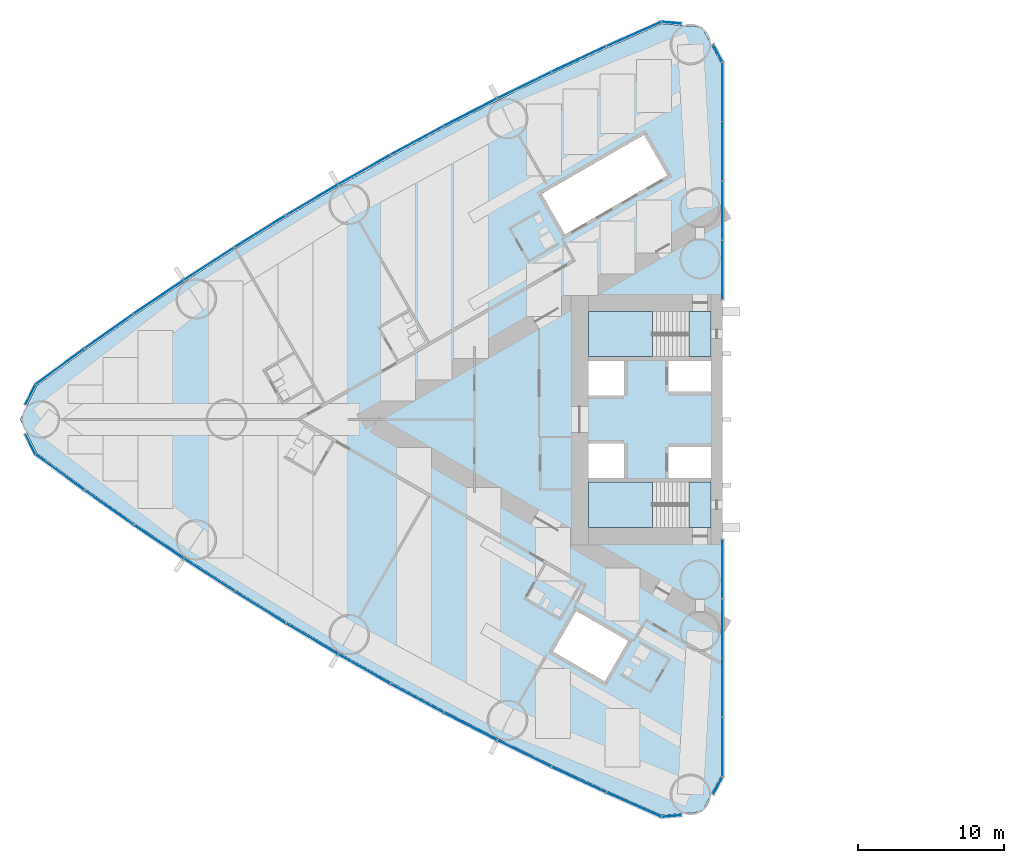
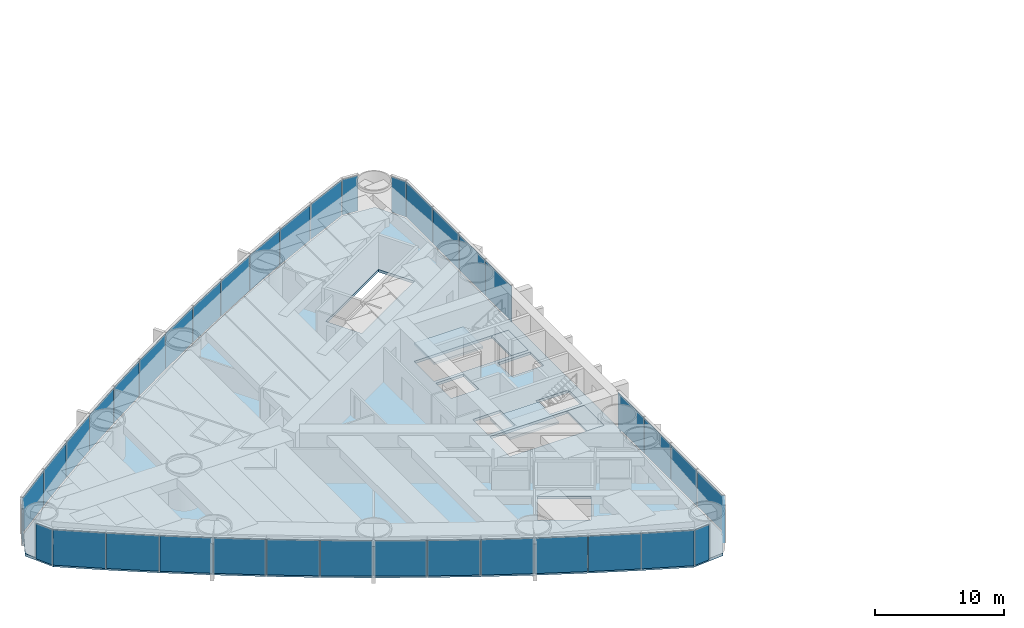
# One storey, part 9 of 19: 38 plates, 5 slabs, 6 elements without a shape of their own.
"""IFC4 building model written with IfcOpenShell, lengths in metres."""

from ifc_helpers import new_model, si_unit, direction, frame, origin, origin_2d, place, context, subcontext, project, spatial, polyline, rectangle, outline, extrude, material, layer, layer_set, type_object, element, aggregate, save


model = new_model("IFC4")

# Units and contexts
model_context = context("Model", 3, precision=1e-05, world=origin(), true_north=direction((0.0, 1.0)))
body_context = subcontext(model_context, "Body", "Model", "MODEL_VIEW")
ifc_project = project(units=[si_unit("LENGTHUNIT", "METRE"), si_unit("AREAUNIT", "SQUARE_METRE"), si_unit("VOLUMEUNIT", "CUBIC_METRE"), si_unit("PLANEANGLEUNIT", "RADIAN"), si_unit("MASSUNIT", "GRAM", prefix="KILO")], contexts=[model_context])

# Site, building, storey
site_placement = place(None, origin())
site = spatial("IfcSite", under=ifc_project, at=site_placement, CompositionType="ELEMENT")
building_placement = place(site_placement, origin())
building = spatial("IfcBuilding", under=site, at=building_placement, Name="Lancet Gate Hotel", CompositionType="ELEMENT")
storey_placement = place(building_placement, frame((0.0, 0.0, 63.5)))
storey = spatial("IfcBuildingStorey", under=building, at=storey_placement, Name="L16", CompositionType="ELEMENT", Elevation=63.5)

# Slab
ifc_material_1 = material(Name="Concrete C50/60", Category="concrete")
ifc_layer_1 = layer(ifc_material_1, 0.25)
ifc_layer_set_1 = layer_set([ifc_layer_1], Name="Floor slab 250")
slab_type_1 = type_object("IfcSlabType", Name="Floor slab 250", PredefinedType="FLOOR", material=ifc_layer_set_1)
slab_1_placement = place(storey_placement, frame((0.0, 0.0, -0.25)))
element("IfcSlab", 1, at=slab_1_placement, inside=storey, type_object=slab_type_1, Name="T1 L16 floor slab", PredefinedType="FLOOR", context=body_context, shape_type="SweptSolid", body=[
    extrude(outline(polyline([(-27.5, 8.60009765625), (-27.6201171875, 8.60009765625), (-27.6201171875, 24.4609375), (-28.926513671875, 26.8837890625), (-31.668212890625, 27.12353515625), (-35.424072265625, 25.458740234375), (-39.173583984375, 23.70849609375), (-42.887939453125, 21.884765625), (-46.56591796875, 19.98876953125), (-50.2060546875, 18.02099609375), (-53.806884765625, 15.982421875), (-57.366943359375, 13.87353515625), (-60.88525390625, 11.695068359375), (-64.360107421875, 9.448486328125), (-67.7900390625, 7.134033203125), (-71.17431640625, 4.752685546875), (-74.488525390625, 2.322021484375), (-75.65087890625, 0.0), (-74.488525390625, -2.322021484375), (-71.17431640625, -4.752685546875), (-67.7900390625, -7.134033203125), (-64.360107421875, -9.448486328125), (-60.88525390625, -11.695068359375), (-57.366943359375, -13.87353515625), (-53.806884765625, -15.982421875), (-50.2060546875, -18.02099609375), (-46.56591796875, -19.98876953125), (-42.887939453125, -21.884765625), (-39.173583984375, -23.70849609375), (-35.424072265625, -25.458740234375), (-31.668212890625, -27.12353515625), (-28.926513671875, -26.8837890625), (-27.6201171875, -24.4609375), (-27.6201171875, -8.60009765625), (-27.5, -8.60009765625), (-27.5, -8.199951171875), (-27.5, 8.199951171875), (-27.5, 8.60009765625)]), holes=[polyline([(-36.699951171875, 7.39990234375), (-36.699951171875, 4.300048828125), (-28.300048828125, 4.300048828125), (-28.300048828125, 7.39990234375), (-36.699951171875, 7.39990234375)]), polyline([(-28.300048828125, 4.0), (-31.199951171875, 4.0), (-31.199951171875, 1.89990234375), (-28.300048828125, 1.89990234375), (-28.300048828125, 4.0)]), polyline([(-34.25, 4.0), (-36.699951171875, 4.0), (-36.699951171875, 1.64990234375), (-34.25, 1.64990234375), (-34.25, 4.0)]), polyline([(-36.699951171875, -1.64990234375), (-36.699951171875, -4.0), (-34.25, -4.0), (-34.25, -1.64990234375), (-36.699951171875, -1.64990234375)]), polyline([(-28.300048828125, -1.89990234375), (-31.199951171875, -1.89990234375), (-31.199951171875, -4.0), (-28.300048828125, -4.0), (-28.300048828125, -1.89990234375)]), polyline([(-28.300048828125, -4.300048828125), (-36.699951171875, -4.300048828125), (-36.699951171875, -7.39990234375), (-28.300048828125, -7.39990234375), (-28.300048828125, -4.300048828125)]), polyline([(-31.2900390625, 16.73095703125), (-32.889892578125, 19.501953125), (-39.904052734375, 15.451904296875), (-38.303955078125, 12.680908203125), (-31.2900390625, 16.73095703125)]), polyline([(-33.97412109375, -15.180908203125), (-37.52490234375, -13.131103515625), (-39.125, -15.902099609375), (-35.573974609375, -17.951904296875), (-33.97412109375, -15.180908203125)])]), origin(), (0.0, 0.0, 1.0), 0.25),
])

# Stair, slabs
ifc_material_2 = material(Name="Exit stair 20 risers 1500")
stair_type = type_object("IfcStairType", Name="Exit stair 20 risers 1500", PredefinedType="HALF_TURN_STAIR", material=ifc_material_2)
stair_1_placement = place(storey_placement, origin())
stair_1 = element("IfcStair", 2, at=stair_1_placement, inside=storey, type_object=stair_type, Name="T1 stair 1 L16", PredefinedType="HALF_TURN_STAIR")
ifc_material_3 = material(Name="Concrete C40/50", Category="concrete")
ifc_layer_2 = layer(ifc_material_3, 0.199951171875)
ifc_layer_set_2 = layer_set([ifc_layer_2], Name="Stair landing 200")
slab_type_2 = type_object("IfcSlabType", Name="Stair landing 200", PredefinedType="LANDING", material=ifc_layer_set_2)
slab_2_placement = place(storey_placement, frame((0.0, 0.0, -0.199951171875)))
slab_2 = element("IfcSlab", 3, at=slab_2_placement, type_object=slab_type_2, Name="ST1 landing 1", PredefinedType="LANDING", context=body_context, shape_type="SweptSolid", body=[
    extrude(outline(polyline([(-28.300048828125, 7.39990234375), (-29.800048828125, 7.39990234375), (-29.800048828125, 4.300048828125), (-28.300048828125, 4.300048828125), (-28.300048828125, 7.39990234375)])), origin(), (0.0, 0.0, 1.0), 0.199951171875),
])
slab_3_placement = place(storey_placement, frame((0.0, 0.0, 1.550048828125)))
slab_3 = element("IfcSlab", 4, at=slab_3_placement, type_object=slab_type_2, Name="ST1 landing 2", PredefinedType="LANDING", context=body_context, shape_type="SweptSolid", body=[
    extrude(outline(polyline([(-32.320068359375, 7.39990234375), (-36.699951171875, 7.39990234375), (-36.699951171875, 4.300048828125), (-32.320068359375, 4.300048828125), (-32.320068359375, 7.39990234375)])), origin(), (0.0, 0.0, 1.0), 0.199951171875),
])
aggregate(stair_1, [slab_2, slab_3])

stair_2_placement = place(storey_placement, origin())
stair_2 = element("IfcStair", 5, at=stair_2_placement, inside=storey, type_object=stair_type, Name="T1 stair 2 L16", PredefinedType="HALF_TURN_STAIR")
slab_4_placement = place(storey_placement, frame((0.0, 0.0, -0.199951171875)))
slab_4 = element("IfcSlab", 6, at=slab_4_placement, type_object=slab_type_2, Name="ST2 landing 1", PredefinedType="LANDING", context=body_context, shape_type="SweptSolid", body=[
    extrude(outline(polyline([(-28.300048828125, -4.300048828125), (-29.800048828125, -4.300048828125), (-29.800048828125, -7.39990234375), (-28.300048828125, -7.39990234375), (-28.300048828125, -4.300048828125)])), origin(), (0.0, 0.0, 1.0), 0.199951171875),
])
slab_5_placement = place(storey_placement, frame((0.0, 0.0, 1.550048828125)))
slab_5 = element("IfcSlab", 7, at=slab_5_placement, type_object=slab_type_2, Name="ST2 landing 2", PredefinedType="LANDING", context=body_context, shape_type="SweptSolid", body=[
    extrude(outline(polyline([(-32.320068359375, -4.300048828125), (-36.699951171875, -4.300048828125), (-36.699951171875, -7.39990234375), (-32.320068359375, -7.39990234375), (-32.320068359375, -4.300048828125)])), origin(), (0.0, 0.0, 1.0), 0.199951171875),
])
aggregate(stair_2, [slab_4, slab_5])

# Curtain wall, plates
ifc_material_4 = material(Name="Aluminium curtain wall", Category="aluminium")
curtain_wall_type = type_object("IfcCurtainWallType", Name="Tower unitised curtain wall", PredefinedType="USERDEFINED", material=ifc_material_4)
curtain_wall_1_placement = place(storey_placement, origin())
curtain_wall_1 = element("IfcCurtainWall", 8, at=curtain_wall_1_placement, inside=storey, type_object=curtain_wall_type, Name="T1 L16 curtain wall 1", ObjectType="UNITISED CURTAIN WALL", PredefinedType="USERDEFINED")
ifc_material_5 = material(Name="Glass double glazed unit 8-16-6", Category="glass")
ifc_layer_3 = layer(ifc_material_5, 0.030029296875)
ifc_layer_set_3 = layer_set([ifc_layer_3], Name="Vision panel double glazed")
plate_type = type_object("IfcPlateType", Name="Vision panel double glazed", PredefinedType="CURTAIN_PANEL", material=ifc_layer_set_3)
plate_1_placement = place(storey_placement, frame((-27.5, 10.236328125, 0.0), z_axis=(0.0, 0.0, 1.0), x_axis=(0.0, 1.0, 0.0)))
plate_1 = element("IfcPlate", 9, at=plate_1_placement, type_object=plate_type, Name="T1 L16 curtain wall 1 panel 1", PredefinedType="CURTAIN_PANEL", context=body_context, shape_type="SweptSolid", body=[
    extrude(rectangle(XDim=4.0078125, YDim=0.030029296875, at=origin_2d()), origin(), (0.0, 0.0, 1.0), 3.35009765625),
])
plate_2_placement = place(storey_placement, frame((-27.5, 14.30908203125, 0.0), z_axis=(0.0, 0.0, 1.0), x_axis=(0.0, 1.0, 0.0)))
plate_2 = element("IfcPlate", 10, at=plate_2_placement, type_object=plate_type, Name="T1 L16 curtain wall 1 panel 2", PredefinedType="CURTAIN_PANEL", context=body_context, shape_type="SweptSolid", body=[
    extrude(rectangle(XDim=4.0078125, YDim=0.030029296875, at=origin_2d()), origin(), (0.0, 0.0, 1.0), 3.35009765625),
])
plate_3_placement = place(storey_placement, frame((-27.5, 18.382080078125, 0.0), z_axis=(0.0, 0.0, 1.0), x_axis=(0.0, 1.0, 0.0)))
plate_3 = element("IfcPlate", 11, at=plate_3_placement, type_object=plate_type, Name="T1 L16 curtain wall 1 panel 3", PredefinedType="CURTAIN_PANEL", context=body_context, shape_type="SweptSolid", body=[
    extrude(rectangle(XDim=4.0078125, YDim=0.030029296875, at=origin_2d()), origin(), (0.0, 0.0, 1.0), 3.35009765625),
])
plate_4_placement = place(storey_placement, frame((-27.5, 22.454833984375, 0.0), z_axis=(0.0, 0.0, 1.0), x_axis=(0.0, 1.0, 0.0)))
plate_4 = element("IfcPlate", 12, at=plate_4_placement, type_object=plate_type, Name="T1 L16 curtain wall 1 panel 4", PredefinedType="CURTAIN_PANEL", context=body_context, shape_type="SweptSolid", body=[
    extrude(rectangle(XDim=4.0078125, YDim=0.030029296875, at=origin_2d()), origin(), (0.0, 0.0, 1.0), 3.35009765625),
])
plate_5_placement = place(storey_placement, frame((-27.829345703125, 25.10205078125, 0.0), z_axis=(0.0, 0.0, 1.0), x_axis=(-0.474631040972, 0.880184852714, 0.0)))
plate_5 = element("IfcPlate", 13, at=plate_5_placement, type_object=plate_type, Name="T1 L16 curtain wall 1 panel 5", PredefinedType="CURTAIN_PANEL", context=body_context, shape_type="SweptSolid", body=[
    extrude(rectangle(XDim=1.322998046875, YDim=0.030029296875, at=origin_2d()), origin(), (0.0, 0.0, 1.0), 3.35009765625),
])
aggregate(curtain_wall_1, [plate_1, plate_2, plate_3, plate_4, plate_5])

curtain_wall_2_placement = place(storey_placement, origin())
curtain_wall_2 = element("IfcCurtainWall", 14, at=curtain_wall_2_placement, inside=storey, type_object=curtain_wall_type, Name="T1 L16 curtain wall 2", ObjectType="UNITISED CURTAIN WALL", PredefinedType="USERDEFINED")
plate_6_placement = place(storey_placement, frame((-30.99658203125, 27.185302734375, 0.0), z_axis=(0.0, 0.0, 1.0), x_axis=(-0.99620380374, 0.087051602022, 0.0)))
plate_6 = element("IfcPlate", 15, at=plate_6_placement, type_object=plate_type, Name="T1 L16 curtain wall 2 panel 1", PredefinedType="CURTAIN_PANEL", context=body_context, shape_type="SweptSolid", body=[
    extrude(rectangle(XDim=1.32421875, YDim=0.030029296875, at=origin_2d()), origin(), (0.0, 0.0, 1.0), 3.35009765625),
])
plate_7_placement = place(storey_placement, frame((-33.581298828125, 26.406982421875, 0.0), z_axis=(0.0, 0.0, 1.0), x_axis=(-0.914234183208, -0.405186201954, 0.0)))
plate_7 = element("IfcPlate", 16, at=plate_7_placement, type_object=plate_type, Name="T1 L16 curtain wall 2 panel 2", PredefinedType="CURTAIN_PANEL", context=body_context, shape_type="SweptSolid", body=[
    extrude(rectangle(XDim=4.0751953125, YDim=0.030029296875, at=origin_2d()), origin(), (0.0, 0.0, 1.0), 3.35009765625),
])
plate_8_placement = place(storey_placement, frame((-37.349609375, 24.6923828125, 0.0), z_axis=(0.0, 0.0, 1.0), x_axis=(-0.906117767284, -0.423025521467, 0.0)))
plate_8 = element("IfcPlate", 17, at=plate_8_placement, type_object=plate_type, Name="T1 L16 curtain wall 2 panel 3", PredefinedType="CURTAIN_PANEL", context=body_context, shape_type="SweptSolid", body=[
    extrude(rectangle(XDim=4.0751953125, YDim=0.030029296875, at=origin_2d()), origin(), (0.0, 0.0, 1.0), 3.35009765625),
])
plate_9_placement = place(storey_placement, frame((-41.083740234375, 22.904296875, 0.0), z_axis=(0.0, 0.0, 1.0), x_axis=(-0.897653295642, -0.440702349463, 0.0)))
plate_9 = element("IfcPlate", 18, at=plate_9_placement, type_object=plate_type, Name="T1 L16 curtain wall 2 panel 4", PredefinedType="CURTAIN_PANEL", context=body_context, shape_type="SweptSolid", body=[
    extrude(rectangle(XDim=4.0751953125, YDim=0.030029296875, at=origin_2d()), origin(), (0.0, 0.0, 1.0), 3.35009765625),
])
plate_10_placement = place(storey_placement, frame((-44.781982421875, 21.04345703125, 0.0), z_axis=(0.0, 0.0, 1.0), x_axis=(-0.888844019644, -0.458209895946, 0.0)))
plate_10 = element("IfcPlate", 19, at=plate_10_placement, type_object=plate_type, Name="T1 L16 curtain wall 2 panel 5", PredefinedType="CURTAIN_PANEL", context=body_context, shape_type="SweptSolid", body=[
    extrude(rectangle(XDim=4.0751953125, YDim=0.030029296875, at=origin_2d()), origin(), (0.0, 0.0, 1.0), 3.35009765625),
])
plate_11_placement = place(storey_placement, frame((-48.443115234375, 19.110595703125, 0.0), z_axis=(0.0, 0.0, 1.0), x_axis=(-0.87969332307, -0.475541435993, 0.0)))
plate_11 = element("IfcPlate", 20, at=plate_11_placement, type_object=plate_type, Name="T1 L16 curtain wall 2 panel 6", PredefinedType="CURTAIN_PANEL", context=body_context, shape_type="SweptSolid", body=[
    extrude(rectangle(XDim=4.0751953125, YDim=0.030029296875, at=origin_2d()), origin(), (0.0, 0.0, 1.0), 3.35009765625),
])
plate_12_placement = place(storey_placement, frame((-52.065673828125, 17.106201171875, 0.0), z_axis=(0.0, 0.0, 1.0), x_axis=(-0.870204720871, -0.492690312238, 0.0)))
plate_12 = element("IfcPlate", 21, at=plate_12_placement, type_object=plate_type, Name="T1 L16 curtain wall 2 panel 7", PredefinedType="CURTAIN_PANEL", context=body_context, shape_type="SweptSolid", body=[
    extrude(rectangle(XDim=4.0751953125, YDim=0.030029296875, at=origin_2d()), origin(), (0.0, 0.0, 1.0), 3.35009765625),
])
plate_13_placement = place(storey_placement, frame((-55.648193359375, 15.031005859375, 0.0), z_axis=(0.0, 0.0, 1.0), x_axis=(-0.860381857795, -0.509649937484, 0.0)))
plate_13 = element("IfcPlate", 22, at=plate_13_placement, type_object=plate_type, Name="T1 L16 curtain wall 2 panel 8", PredefinedType="CURTAIN_PANEL", context=body_context, shape_type="SweptSolid", body=[
    extrude(rectangle(XDim=4.0751953125, YDim=0.030029296875, at=origin_2d()), origin(), (0.0, 0.0, 1.0), 3.35009765625),
])
plate_14_placement = place(storey_placement, frame((-59.189208984375, 12.88623046875, 0.0), z_axis=(0.0, 0.0, 1.0), x_axis=(-0.850228506958, -0.52641379727, 0.0)))
plate_14 = element("IfcPlate", 23, at=plate_14_placement, type_object=plate_type, Name="T1 L16 curtain wall 2 panel 9", PredefinedType="CURTAIN_PANEL", context=body_context, shape_type="SweptSolid", body=[
    extrude(rectangle(XDim=4.0751953125, YDim=0.030029296875, at=origin_2d()), origin(), (0.0, 0.0, 1.0), 3.35009765625),
])
plate_15_placement = place(storey_placement, frame((-62.687744140625, 10.672607421875, 0.0), z_axis=(0.0, 0.0, 1.0), x_axis=(-0.839748568448, -0.54297545229, 0.0)))
plate_15 = element("IfcPlate", 24, at=plate_15_placement, type_object=plate_type, Name="T1 L16 curtain wall 2 panel 10", PredefinedType="CURTAIN_PANEL", context=body_context, shape_type="SweptSolid", body=[
    extrude(rectangle(XDim=4.0751953125, YDim=0.030029296875, at=origin_2d()), origin(), (0.0, 0.0, 1.0), 3.35009765625),
])
plate_16_placement = place(storey_placement, frame((-66.142333984375, 8.390625, 0.0), z_axis=(0.0, 0.0, 1.0), x_axis=(-0.828946067803, -0.559328540907, 0.0)))
plate_16 = element("IfcPlate", 25, at=plate_16_placement, type_object=plate_type, Name="T1 L16 curtain wall 2 panel 11", PredefinedType="CURTAIN_PANEL", context=body_context, shape_type="SweptSolid", body=[
    extrude(rectangle(XDim=4.0751953125, YDim=0.030029296875, at=origin_2d()), origin(), (0.0, 0.0, 1.0), 3.35009765625),
])
plate_17_placement = place(storey_placement, frame((-69.55126953125, 6.04150390625, 0.0), z_axis=(0.0, 0.0, 1.0), x_axis=(-0.817825154435, -0.575466781642, 0.0)))
plate_17 = element("IfcPlate", 26, at=plate_17_placement, type_object=plate_type, Name="T1 L16 curtain wall 2 panel 12", PredefinedType="CURTAIN_PANEL", context=body_context, shape_type="SweptSolid", body=[
    extrude(rectangle(XDim=4.0751953125, YDim=0.030029296875, at=origin_2d()), origin(), (0.0, 0.0, 1.0), 3.35009765625),
])
plate_18_placement = place(storey_placement, frame((-72.91357421875, 3.6259765625, 0.0), z_axis=(0.0, 0.0, 1.0), x_axis=(-0.80639010009, -0.591383975499, 0.0)))
plate_18 = element("IfcPlate", 27, at=plate_18_placement, type_object=plate_type, Name="T1 L16 curtain wall 2 panel 13", PredefinedType="CURTAIN_PANEL", context=body_context, shape_type="SweptSolid", body=[
    extrude(rectangle(XDim=4.0751953125, YDim=0.030029296875, at=origin_2d()), origin(), (0.0, 0.0, 1.0), 3.35009765625),
])
plate_19_placement = place(storey_placement, frame((-74.93505859375, 1.6982421875, 0.0), z_axis=(0.0, 0.0, 1.0), x_axis=(-0.447628324726, -0.89421970617, 0.0)))
plate_19 = element("IfcPlate", 28, at=plate_19_placement, type_object=plate_type, Name="T1 L16 curtain wall 2 panel 14", PredefinedType="CURTAIN_PANEL", context=body_context, shape_type="SweptSolid", body=[
    extrude(rectangle(XDim=1.50830078125, YDim=0.030029296875, at=origin_2d()), origin(), (0.0, 0.0, 1.0), 3.35009765625),
])
aggregate(curtain_wall_2, [plate_6, plate_7, plate_8, plate_9, plate_10, plate_11, plate_12, plate_13, plate_14, plate_15, plate_16, plate_17, plate_18, plate_19])

curtain_wall_3_placement = place(storey_placement, origin())
curtain_wall_3 = element("IfcCurtainWall", 29, at=curtain_wall_3_placement, inside=storey, type_object=curtain_wall_type, Name="T1 L16 curtain wall 3", ObjectType="UNITISED CURTAIN WALL", PredefinedType="USERDEFINED")
plate_20_placement = place(storey_placement, frame((-74.93505859375, -1.6982421875, 0.0), z_axis=(0.0, 0.0, 1.0), x_axis=(0.447628324726, -0.89421970617, 0.0)))
plate_20 = element("IfcPlate", 30, at=plate_20_placement, type_object=plate_type, Name="T1 L16 curtain wall 3 panel 1", PredefinedType="CURTAIN_PANEL", context=body_context, shape_type="SweptSolid", body=[
    extrude(rectangle(XDim=1.50830078125, YDim=0.030029296875, at=origin_2d()), origin(), (0.0, 0.0, 1.0), 3.35009765625),
])
plate_21_placement = place(storey_placement, frame((-72.91357421875, -3.6259765625, 0.0), z_axis=(0.0, 0.0, 1.0), x_axis=(0.80639010009, -0.591383975499, 0.0)))
plate_21 = element("IfcPlate", 31, at=plate_21_placement, type_object=plate_type, Name="T1 L16 curtain wall 3 panel 2", PredefinedType="CURTAIN_PANEL", context=body_context, shape_type="SweptSolid", body=[
    extrude(rectangle(XDim=4.0751953125, YDim=0.030029296875, at=origin_2d()), origin(), (0.0, 0.0, 1.0), 3.35009765625),
])
plate_22_placement = place(storey_placement, frame((-69.55126953125, -6.04150390625, 0.0), z_axis=(0.0, 0.0, 1.0), x_axis=(0.817825154435, -0.575466781642, 0.0)))
plate_22 = element("IfcPlate", 32, at=plate_22_placement, type_object=plate_type, Name="T1 L16 curtain wall 3 panel 3", PredefinedType="CURTAIN_PANEL", context=body_context, shape_type="SweptSolid", body=[
    extrude(rectangle(XDim=4.0751953125, YDim=0.030029296875, at=origin_2d()), origin(), (0.0, 0.0, 1.0), 3.35009765625),
])
plate_23_placement = place(storey_placement, frame((-66.142333984375, -8.390625, 0.0), z_axis=(0.0, 0.0, 1.0), x_axis=(0.828946067803, -0.559328540907, 0.0)))
plate_23 = element("IfcPlate", 33, at=plate_23_placement, type_object=plate_type, Name="T1 L16 curtain wall 3 panel 4", PredefinedType="CURTAIN_PANEL", context=body_context, shape_type="SweptSolid", body=[
    extrude(rectangle(XDim=4.0751953125, YDim=0.030029296875, at=origin_2d()), origin(), (0.0, 0.0, 1.0), 3.35009765625),
])
plate_24_placement = place(storey_placement, frame((-62.687744140625, -10.672607421875, 0.0), z_axis=(0.0, 0.0, 1.0), x_axis=(0.839748568448, -0.54297545229, 0.0)))
plate_24 = element("IfcPlate", 34, at=plate_24_placement, type_object=plate_type, Name="T1 L16 curtain wall 3 panel 5", PredefinedType="CURTAIN_PANEL", context=body_context, shape_type="SweptSolid", body=[
    extrude(rectangle(XDim=4.0751953125, YDim=0.030029296875, at=origin_2d()), origin(), (0.0, 0.0, 1.0), 3.35009765625),
])
plate_25_placement = place(storey_placement, frame((-59.189208984375, -12.88623046875, 0.0), z_axis=(0.0, 0.0, 1.0), x_axis=(0.850228506958, -0.52641379727, 0.0)))
plate_25 = element("IfcPlate", 35, at=plate_25_placement, type_object=plate_type, Name="T1 L16 curtain wall 3 panel 6", PredefinedType="CURTAIN_PANEL", context=body_context, shape_type="SweptSolid", body=[
    extrude(rectangle(XDim=4.0751953125, YDim=0.030029296875, at=origin_2d()), origin(), (0.0, 0.0, 1.0), 3.35009765625),
])
plate_26_placement = place(storey_placement, frame((-55.648193359375, -15.031005859375, 0.0), z_axis=(0.0, 0.0, 1.0), x_axis=(0.860381857795, -0.509649937484, 0.0)))
plate_26 = element("IfcPlate", 36, at=plate_26_placement, type_object=plate_type, Name="T1 L16 curtain wall 3 panel 7", PredefinedType="CURTAIN_PANEL", context=body_context, shape_type="SweptSolid", body=[
    extrude(rectangle(XDim=4.0751953125, YDim=0.030029296875, at=origin_2d()), origin(), (0.0, 0.0, 1.0), 3.35009765625),
])
plate_27_placement = place(storey_placement, frame((-52.065673828125, -17.106201171875, 0.0), z_axis=(0.0, 0.0, 1.0), x_axis=(0.870204720871, -0.492690312238, 0.0)))
plate_27 = element("IfcPlate", 37, at=plate_27_placement, type_object=plate_type, Name="T1 L16 curtain wall 3 panel 8", PredefinedType="CURTAIN_PANEL", context=body_context, shape_type="SweptSolid", body=[
    extrude(rectangle(XDim=4.0751953125, YDim=0.030029296875, at=origin_2d()), origin(), (0.0, 0.0, 1.0), 3.35009765625),
])
plate_28_placement = place(storey_placement, frame((-48.443115234375, -19.110595703125, 0.0), z_axis=(0.0, 0.0, 1.0), x_axis=(0.87969332307, -0.475541435993, 0.0)))
plate_28 = element("IfcPlate", 38, at=plate_28_placement, type_object=plate_type, Name="T1 L16 curtain wall 3 panel 9", PredefinedType="CURTAIN_PANEL", context=body_context, shape_type="SweptSolid", body=[
    extrude(rectangle(XDim=4.0751953125, YDim=0.030029296875, at=origin_2d()), origin(), (0.0, 0.0, 1.0), 3.35009765625),
])
plate_29_placement = place(storey_placement, frame((-44.781982421875, -21.04345703125, 0.0), z_axis=(0.0, 0.0, 1.0), x_axis=(0.888844019644, -0.458209895946, 0.0)))
plate_29 = element("IfcPlate", 39, at=plate_29_placement, type_object=plate_type, Name="T1 L16 curtain wall 3 panel 10", PredefinedType="CURTAIN_PANEL", context=body_context, shape_type="SweptSolid", body=[
    extrude(rectangle(XDim=4.0751953125, YDim=0.030029296875, at=origin_2d()), origin(), (0.0, 0.0, 1.0), 3.35009765625),
])
plate_30_placement = place(storey_placement, frame((-41.083740234375, -22.904296875, 0.0), z_axis=(0.0, 0.0, 1.0), x_axis=(0.897653295642, -0.440702349463, 0.0)))
plate_30 = element("IfcPlate", 40, at=plate_30_placement, type_object=plate_type, Name="T1 L16 curtain wall 3 panel 11", PredefinedType="CURTAIN_PANEL", context=body_context, shape_type="SweptSolid", body=[
    extrude(rectangle(XDim=4.0751953125, YDim=0.030029296875, at=origin_2d()), origin(), (0.0, 0.0, 1.0), 3.35009765625),
])
plate_31_placement = place(storey_placement, frame((-37.349609375, -24.6923828125, 0.0), z_axis=(0.0, 0.0, 1.0), x_axis=(0.906117767284, -0.423025521467, 0.0)))
plate_31 = element("IfcPlate", 41, at=plate_31_placement, type_object=plate_type, Name="T1 L16 curtain wall 3 panel 12", PredefinedType="CURTAIN_PANEL", context=body_context, shape_type="SweptSolid", body=[
    extrude(rectangle(XDim=4.0751953125, YDim=0.030029296875, at=origin_2d()), origin(), (0.0, 0.0, 1.0), 3.35009765625),
])
plate_32_placement = place(storey_placement, frame((-33.581298828125, -26.406982421875, 0.0), z_axis=(0.0, 0.0, 1.0), x_axis=(0.914234183208, -0.405186201954, 0.0)))
plate_32 = element("IfcPlate", 42, at=plate_32_placement, type_object=plate_type, Name="T1 L16 curtain wall 3 panel 13", PredefinedType="CURTAIN_PANEL", context=body_context, shape_type="SweptSolid", body=[
    extrude(rectangle(XDim=4.0751953125, YDim=0.030029296875, at=origin_2d()), origin(), (0.0, 0.0, 1.0), 3.35009765625),
])
plate_33_placement = place(storey_placement, frame((-30.99658203125, -27.185302734375, 0.0), z_axis=(0.0, 0.0, 1.0), x_axis=(0.99620380374, 0.087051602022, 0.0)))
plate_33 = element("IfcPlate", 43, at=plate_33_placement, type_object=plate_type, Name="T1 L16 curtain wall 3 panel 14", PredefinedType="CURTAIN_PANEL", context=body_context, shape_type="SweptSolid", body=[
    extrude(rectangle(XDim=1.32421875, YDim=0.030029296875, at=origin_2d()), origin(), (0.0, 0.0, 1.0), 3.35009765625),
])
aggregate(curtain_wall_3, [plate_20, plate_21, plate_22, plate_23, plate_24, plate_25, plate_26, plate_27, plate_28, plate_29, plate_30, plate_31, plate_32, plate_33])

curtain_wall_4_placement = place(storey_placement, origin())
curtain_wall_4 = element("IfcCurtainWall", 44, at=curtain_wall_4_placement, inside=storey, type_object=curtain_wall_type, Name="T1 L16 curtain wall 4", ObjectType="UNITISED CURTAIN WALL", PredefinedType="USERDEFINED")
plate_34_placement = place(storey_placement, frame((-27.829345703125, -25.10205078125, 0.0), z_axis=(0.0, 0.0, 1.0), x_axis=(0.474631040972, 0.880184852714, 0.0)))
plate_34 = element("IfcPlate", 45, at=plate_34_placement, type_object=plate_type, Name="T1 L16 curtain wall 4 panel 1", PredefinedType="CURTAIN_PANEL", context=body_context, shape_type="SweptSolid", body=[
    extrude(rectangle(XDim=1.322998046875, YDim=0.030029296875, at=origin_2d()), origin(), (0.0, 0.0, 1.0), 3.35009765625),
])
plate_35_placement = place(storey_placement, frame((-27.5, -22.454833984375, 0.0), z_axis=(0.0, 0.0, 1.0), x_axis=(0.0, 1.0, 0.0)))
plate_35 = element("IfcPlate", 46, at=plate_35_placement, type_object=plate_type, Name="T1 L16 curtain wall 4 panel 2", PredefinedType="CURTAIN_PANEL", context=body_context, shape_type="SweptSolid", body=[
    extrude(rectangle(XDim=4.0078125, YDim=0.030029296875, at=origin_2d()), origin(), (0.0, 0.0, 1.0), 3.35009765625),
])
plate_36_placement = place(storey_placement, frame((-27.5, -18.382080078125, 0.0), z_axis=(0.0, 0.0, 1.0), x_axis=(0.0, 1.0, 0.0)))
plate_36 = element("IfcPlate", 47, at=plate_36_placement, type_object=plate_type, Name="T1 L16 curtain wall 4 panel 3", PredefinedType="CURTAIN_PANEL", context=body_context, shape_type="SweptSolid", body=[
    extrude(rectangle(XDim=4.0078125, YDim=0.030029296875, at=origin_2d()), origin(), (0.0, 0.0, 1.0), 3.35009765625),
])
plate_37_placement = place(storey_placement, frame((-27.5, -14.30908203125, 0.0), z_axis=(0.0, 0.0, 1.0), x_axis=(0.0, 1.0, 0.0)))
plate_37 = element("IfcPlate", 48, at=plate_37_placement, type_object=plate_type, Name="T1 L16 curtain wall 4 panel 4", PredefinedType="CURTAIN_PANEL", context=body_context, shape_type="SweptSolid", body=[
    extrude(rectangle(XDim=4.0078125, YDim=0.030029296875, at=origin_2d()), origin(), (0.0, 0.0, 1.0), 3.35009765625),
])
plate_38_placement = place(storey_placement, frame((-27.5, -10.236328125, 0.0), z_axis=(0.0, 0.0, 1.0), x_axis=(0.0, 1.0, 0.0)))
plate_38 = element("IfcPlate", 49, at=plate_38_placement, type_object=plate_type, Name="T1 L16 curtain wall 4 panel 5", PredefinedType="CURTAIN_PANEL", context=body_context, shape_type="SweptSolid", body=[
    extrude(rectangle(XDim=4.0078125, YDim=0.030029296875, at=origin_2d()), origin(), (0.0, 0.0, 1.0), 3.35009765625),
])
aggregate(curtain_wall_4, [plate_34, plate_35, plate_36, plate_37, plate_38])

save(model, "model.ifc")
